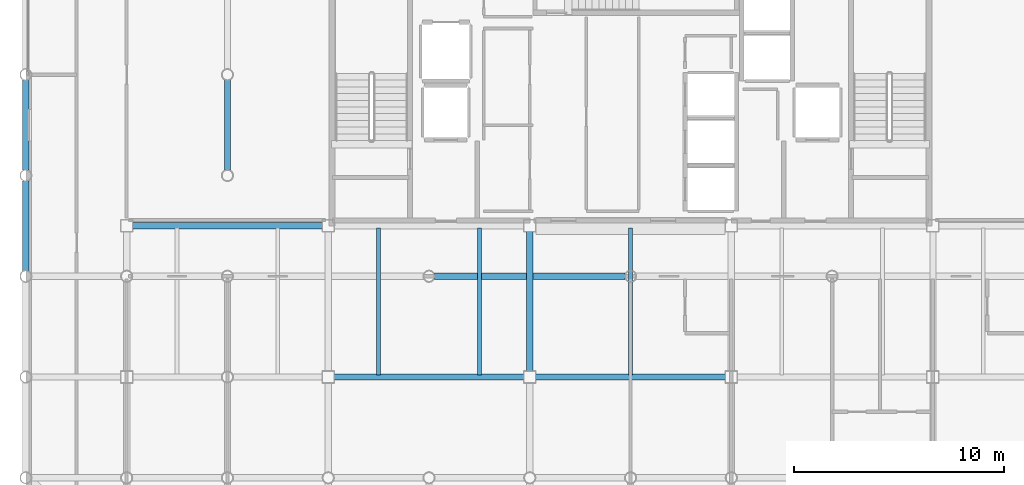
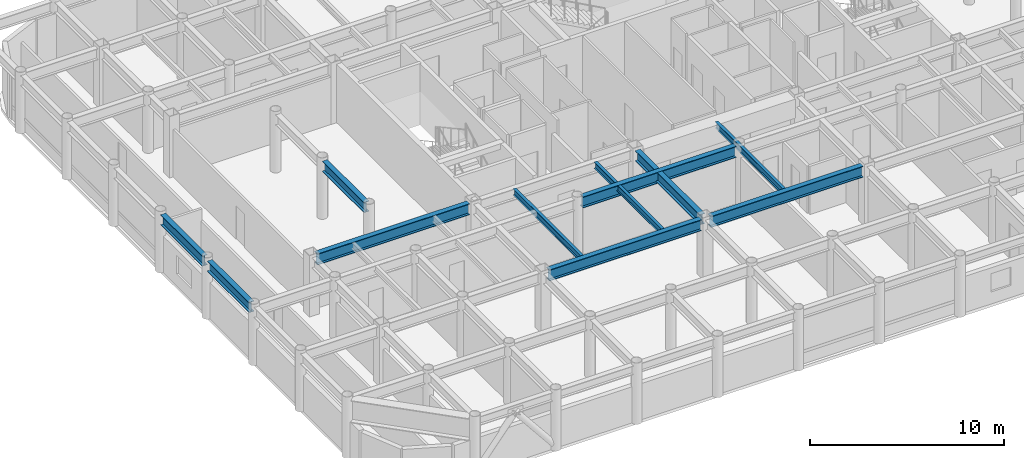
# One storey, part 5 of 22: 11 beams.
"""IFC4 building model written with IfcOpenShell, lengths in metres."""

from ifc_helpers import new_model, si_unit, direction, frame, origin, origin_2d, place, context, subcontext, project, spatial, i_section, extrude, material, material_profile, profile_set, type_object, element, save


model = new_model("IFC4")

# Units and contexts
model_context = context("Model", 3, precision=1e-05, world=origin(), true_north=direction((0.0, 1.0)))
body_context = subcontext(model_context, "Body", "Model", "MODEL_VIEW")
ifc_project = project(units=[si_unit("LENGTHUNIT", "METRE"), si_unit("AREAUNIT", "SQUARE_METRE"), si_unit("VOLUMEUNIT", "CUBIC_METRE"), si_unit("PLANEANGLEUNIT", "RADIAN"), si_unit("MASSUNIT", "GRAM", prefix="KILO")], contexts=[model_context])

# Site, building, storey
site_placement = place(None, origin())
site = spatial("IfcSite", under=ifc_project, at=site_placement, CompositionType="ELEMENT")
building_placement = place(site_placement, origin())
building = spatial("IfcBuilding", under=site, at=building_placement, Name="Kallvorn Hotel Tower", CompositionType="ELEMENT")
storey_placement = place(building_placement, frame((0.0, 0.0, 203.050048828125)))
storey = spatial("IfcBuildingStorey", under=building, at=storey_placement, Name="L50", CompositionType="ELEMENT", Elevation=203.050048828125)

# Beams
ifc_material_1 = material(Name="Structural steel S355JR", Category="steel")
ifc_material_profile_1 = material_profile(ifc_material_1, i_section(OverallWidth=0.300048828125, OverallDepth=0.64990234375, WebThickness=0.01611328125, FlangeThickness=0.031005859375, at=origin_2d()), Name="HE 650 B")
ifc_profile_set_1 = profile_set([ifc_material_profile_1], Name="Structural steel S355JR")
beam_type_1 = type_object("IfcBeamType", Name="BM_HE650B", PredefinedType="BEAM", material=ifc_profile_set_1)
for number, where, z_axis, x_axis, name in (
    (1, (-28.800048828125, -9.345458984375, 3.344970703125), (0.0, 1.0, 0.0), (-1.0, 0.0, 0.0), "L51 Primary Y-Girder 75"),
    (2, (-28.800048828125, -4.54541015625, 3.344970703125), (0.0, 1.0, 0.0), (-1.0, 0.0, 0.0), "L51 Primary Y-Girder 76"),
    (3, (-19.199951171875, -4.54541015625, 3.344970703125), (0.0, 1.0, 0.0), (-1.0, 0.0, 0.0), "L51 Primary Y-Girder 92"),
):
    element("IfcBeam", number, at=place(storey_placement, frame(where, z_axis=z_axis, x_axis=x_axis)), inside=storey, type_object=beam_type_1, Name=name, PredefinedType="BEAM", context=body_context, shape_type="SweptSolid", body=[
        extrude(i_section(OverallWidth=0.300048828125, OverallDepth=0.64990234375, WebThickness=0.01611328125, FlangeThickness=0.031005859375, at=origin_2d()), origin(), (0.0, 0.0, 1.0), 4.291015625),
    ])
beam_1_placement = place(storey_placement, frame((-4.800048828125, -14.125, 3.344970703125), z_axis=(0.0, 1.0, 0.0), x_axis=(-1.0, 0.0, 0.0)))
element("IfcBeam", 4, at=beam_1_placement, inside=storey, type_object=beam_type_1, Name="L51 Primary Y-Girder 107", PredefinedType="BEAM", context=body_context, shape_type="SweptSolid", body=[
    extrude(i_section(OverallWidth=0.300048828125, OverallDepth=0.64990234375, WebThickness=0.01611328125, FlangeThickness=0.031005859375, at=origin_2d()), origin(), (0.0, 0.0, 1.0), 6.64990234375),
])
ifc_material_2 = material(Name="Structural steel S355JR", Category="steel")
ifc_material_profile_2 = material_profile(ifc_material_2, i_section(OverallWidth=0.300048828125, OverallDepth=0.699951171875, WebThickness=0.01708984375, FlangeThickness=0.031982421875, at=origin_2d()), Name="HE 700 B")
ifc_profile_set_2 = profile_set([ifc_material_profile_2], Name="Structural steel S355JR")
beam_type_2 = type_object("IfcBeamType", Name="BM_HE700B", PredefinedType="BEAM", material=ifc_profile_set_2)
beam_2_placement = place(storey_placement, frame((-14.125, -14.39990234375, 3.320068359375), z_axis=(1.0, 0.0, 0.0), x_axis=(0.0, 1.0, 0.0)))
element("IfcBeam", 5, at=beam_2_placement, inside=storey, type_object=beam_type_2, Name="L51 Primary X-Girder 17", PredefinedType="BEAM", context=body_context, shape_type="SweptSolid", body=[
    extrude(i_section(OverallWidth=0.300048828125, OverallDepth=0.699951171875, WebThickness=0.01708984375, FlangeThickness=0.031982421875, at=origin_2d()), origin(), (0.0, 0.0, 1.0), 9.050048828125),
])
beam_3_placement = place(storey_placement, frame((-4.52490234375, -14.39990234375, 3.320068359375), z_axis=(1.0, 0.0, 0.0), x_axis=(0.0, 1.0, 0.0)))
element("IfcBeam", 6, at=beam_3_placement, inside=storey, type_object=beam_type_2, Name="L51 Primary X-Girder 18", PredefinedType="BEAM", context=body_context, shape_type="SweptSolid", body=[
    extrude(i_section(OverallWidth=0.300048828125, OverallDepth=0.699951171875, WebThickness=0.01708984375, FlangeThickness=0.031982421875, at=origin_2d()), origin(), (0.0, 0.0, 1.0), 9.0498046875),
])
beam_4_placement = place(storey_placement, frame((-9.345458984375, -9.60009765625, 3.320068359375), z_axis=(1.0, 0.0, 0.0), x_axis=(0.0, 1.0, 0.0)))
element("IfcBeam", 7, at=beam_4_placement, inside=storey, type_object=beam_type_2, Name="L51 Primary X-Girder 27", PredefinedType="BEAM", context=body_context, shape_type="SweptSolid", body=[
    extrude(i_section(OverallWidth=0.300048828125, OverallDepth=0.699951171875, WebThickness=0.01708984375, FlangeThickness=0.031982421875, at=origin_2d()), origin(), (0.0, 0.0, 1.0), 9.091064453125),
])
beam_5_placement = place(storey_placement, frame((-23.72509765625, -7.199951171875, 3.320068359375), z_axis=(1.0, 0.0, 0.0), x_axis=(0.0, 1.0, 0.0)))
element("IfcBeam", 8, at=beam_5_placement, inside=storey, type_object=beam_type_2, Name="L51 Primary X-Girder 33", PredefinedType="BEAM", context=body_context, shape_type="SweptSolid", body=[
    extrude(i_section(OverallWidth=0.300048828125, OverallDepth=0.699951171875, WebThickness=0.01708984375, FlangeThickness=0.031982421875, at=origin_2d()), origin(), (0.0, 0.0, 1.0), 9.050048828125),
])
ifc_material_3 = material(Name="Structural steel S355JR", Category="steel")
ifc_material_profile_3 = material_profile(ifc_material_3, i_section(OverallWidth=0.179931640625, OverallDepth=0.39990234375, WebThickness=0.008544921875, FlangeThickness=0.013427734375, at=origin_2d()), Name="IPE 400")
ifc_profile_set_3 = profile_set([ifc_material_profile_3], Name="Structural steel S355JR")
beam_type_3 = type_object("IfcBeamType", Name="BM_IPE400", PredefinedType="JOIST", material=ifc_profile_set_3)
for number, where, z_axis, x_axis, name in (
    (9, (-12.0, -14.300048828125, 3.469970703125), (0.0, 1.0, 0.0), (-1.0, 0.0, 0.0), "L51 Secondary Composite Joist 196"),
    (10, (-7.199951171875, -14.300048828125, 3.469970703125), (0.0, 1.0, 0.0), (-1.0, 0.0, 0.0), "L51 Secondary Composite Joist 198"),
    (11, (0.0, -14.300048828125, 3.469970703125), (0.0, 1.0, 0.0), (-1.0, 0.0, 0.0), "L51 Secondary Composite Joist 200"),
):
    element("IfcBeam", number, at=place(storey_placement, frame(where, z_axis=z_axis, x_axis=x_axis)), inside=storey, type_object=beam_type_3, Name=name, PredefinedType="JOIST", context=body_context, shape_type="SweptSolid", body=[
        extrude(i_section(OverallWidth=0.179931640625, OverallDepth=0.39990234375, WebThickness=0.008544921875, FlangeThickness=0.013427734375, at=origin_2d()), origin(), (0.0, 0.0, 1.0), 7.0),
    ])

save(model, "model.ifc")
